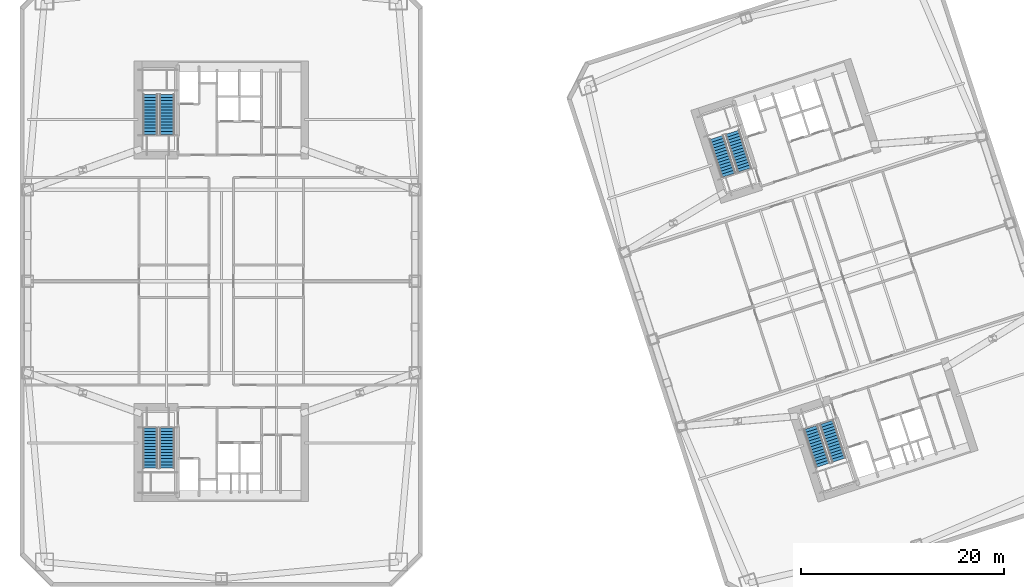
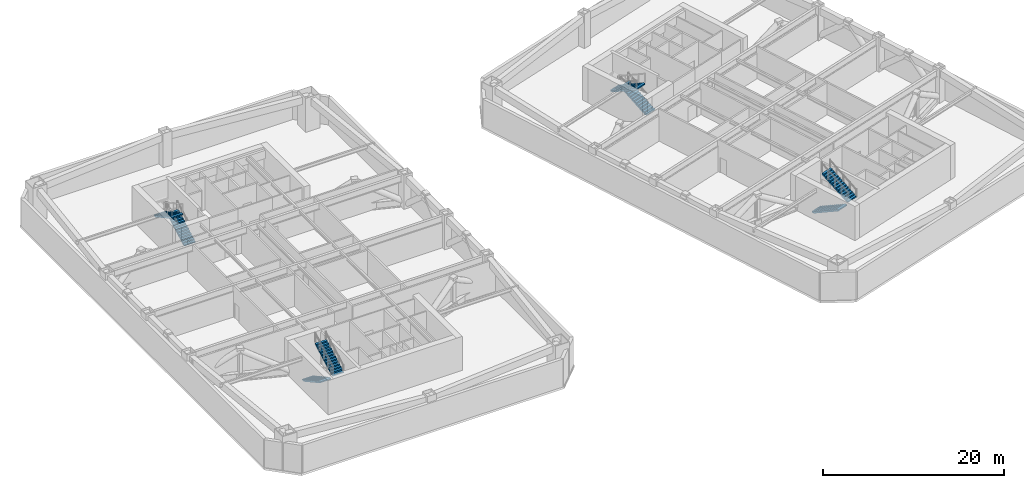
# One storey, part 14 of 16: 8 stair flights, 4 elements without a shape of their own.
"""IFC4 building model written with IfcOpenShell, lengths in metres."""

from ifc_helpers import new_model, si_unit, direction, frame, origin, place, context, subcontext, project, spatial, polyline, outline, extrude, material, type_object, element, aggregate, save


model = new_model("IFC4")

# Units and contexts
model_context = context("Model", 3, precision=1e-05, world=origin(), true_north=direction((0.0, 1.0)))
body_context = subcontext(model_context, "Body", "Model", "MODEL_VIEW")
ifc_project = project(units=[si_unit("LENGTHUNIT", "METRE"), si_unit("AREAUNIT", "SQUARE_METRE"), si_unit("VOLUMEUNIT", "CUBIC_METRE"), si_unit("PLANEANGLEUNIT", "RADIAN"), si_unit("MASSUNIT", "GRAM", prefix="KILO")], contexts=[model_context])

# Site, building, storey
site_placement = place(None, origin())
site = spatial("IfcSite", under=ifc_project, at=site_placement, CompositionType="ELEMENT")
building_placement = place(site_placement, origin())
building = spatial("IfcBuilding", under=site, at=building_placement, Name="Qiaolan Cultural Towers", CompositionType="ELEMENT")
storey_placement = place(building_placement, frame((0.0, 0.0, 46.0)))
storey = spatial("IfcBuildingStorey", under=building, at=storey_placement, Name="L10", CompositionType="ELEMENT", Elevation=46.0)

# Stair, stair flights
ifc_material_1 = material(Name="Concrete C45", Category="concrete")
stair_type = type_object("IfcStairType", Name="STR-CORE-1500", PredefinedType="HALF_TURN_STAIR", material=ifc_material_1)
stair_1_placement = place(storey_placement, origin())
stair_1 = element("IfcStair", 1, at=stair_1_placement, inside=storey, type_object=stair_type, Name="L10 Smokeproof Exit Stair ST-W1", PredefinedType="HALF_TURN_STAIR")
ifc_material_2 = material(Name="Concrete C45", Category="concrete")
stair_flight_type = type_object("IfcStairFlightType", Name="STR-CORE-1500-FL", PredefinedType="STRAIGHT", material=ifc_material_2)
stair_flight_1_placement = place(storey_placement, frame((23.02001953125, 19.550048828125, 0.0), z_axis=(0.0, 0.0, 1.0), x_axis=(0.0, -1.0, 0.0)))
stair_flight_1 = element("IfcStairFlight", 2, at=stair_flight_1_placement, type_object=stair_flight_type, Name="ST-W1 flight 1", NumberOfRisers=14, NumberOfTreads=13, PredefinedType="STRAIGHT", RiserHeight=0.164285714, TreadLength=0.3, context=body_context, shape_type="SweptSolid", body=[
    extrude(outline(polyline([(0.0, 0.0), (0.0, 0.164306640625), (0.300048828125, 0.164306640625), (0.300048828125, 0.32861328125), (0.60009765625, 0.32861328125), (0.60009765625, 0.492919921875), (0.89990234375, 0.492919921875), (0.89990234375, 0.6572265625), (1.199951171875, 0.6572265625), (1.199951171875, 0.821533203125), (1.5, 0.821533203125), (1.5, 0.985595703125), (1.800048828125, 0.985595703125), (1.800048828125, 1.14990234375), (2.10009765625, 1.14990234375), (2.10009765625, 1.314208984375), (2.39990234375, 1.314208984375), (2.39990234375, 1.478515625), (2.699951171875, 1.478515625), (2.699951171875, 1.642822265625), (3.0, 1.642822265625), (3.0, 1.80712890625), (3.300048828125, 1.80712890625), (3.300048828125, 1.971435546875), (3.60009765625, 1.971435546875), (3.60009765625, 2.1357421875), (3.89990234375, 2.1357421875), (3.89990234375, 2.300048828125), (3.89990234375, 1.96484375), (0.31201171875, 0.0), (0.0, 0.0)])), frame((0.0, 0.719970703125, 0.0), z_axis=(0.0, -1.0, 0.0), x_axis=(1.0, 0.0, 0.0)), (0.0, 0.0, 1.0), 1.43994140625),
])
stair_flight_2_placement = place(storey_placement, frame((24.659912109375, 15.64990234375, 2.300048828125), z_axis=(0.0, 0.0, 1.0), x_axis=(0.0, 1.0, 0.0)))
stair_flight_2 = element("IfcStairFlight", 3, at=stair_flight_2_placement, type_object=stair_flight_type, Name="ST-W1 flight 2", NumberOfRisers=14, NumberOfTreads=13, PredefinedType="STRAIGHT", RiserHeight=0.164285714, TreadLength=0.3, context=body_context, shape_type="SweptSolid", body=[
    extrude(outline(polyline([(0.0, 0.0), (0.0, 0.164306640625), (0.300048828125, 0.164306640625), (0.300048828125, 0.32861328125), (0.60009765625, 0.32861328125), (0.60009765625, 0.492919921875), (0.89990234375, 0.492919921875), (0.89990234375, 0.6572265625), (1.199951171875, 0.6572265625), (1.199951171875, 0.821533203125), (1.5, 0.821533203125), (1.5, 0.985595703125), (1.800048828125, 0.985595703125), (1.800048828125, 1.14990234375), (2.10009765625, 1.14990234375), (2.10009765625, 1.314208984375), (2.39990234375, 1.314208984375), (2.39990234375, 1.478515625), (2.699951171875, 1.478515625), (2.699951171875, 1.642822265625), (3.0, 1.642822265625), (3.0, 1.80712890625), (3.300048828125, 1.80712890625), (3.300048828125, 1.971435546875), (3.60009765625, 1.971435546875), (3.60009765625, 2.1357421875), (3.89990234375, 2.1357421875), (3.89990234375, 2.300048828125), (3.89990234375, 1.96484375), (0.31201171875, 0.0), (0.0, 0.0)])), frame((0.0, 0.719970703125, 0.0), z_axis=(0.0, -1.0, 0.0), x_axis=(1.0, 0.0, 0.0)), (0.0, 0.0, 1.0), 1.43994140625),
])
aggregate(stair_1, [stair_flight_1, stair_flight_2])

stair_2_placement = place(storey_placement, origin())
stair_2 = element("IfcStair", 4, at=stair_2_placement, inside=storey, type_object=stair_type, Name="L10 Smokeproof Exit Stair ST-W2", PredefinedType="HALF_TURN_STAIR")
stair_flight_3_placement = place(storey_placement, frame((24.659912109375, 48.449951171875, 0.0), z_axis=(0.0, 0.0, 1.0), x_axis=(0.0, 1.0, 0.0)))
stair_flight_3 = element("IfcStairFlight", 5, at=stair_flight_3_placement, type_object=stair_flight_type, Name="ST-W2 flight 1", NumberOfRisers=14, NumberOfTreads=13, PredefinedType="STRAIGHT", RiserHeight=0.164285714, TreadLength=0.3, context=body_context, shape_type="SweptSolid", body=[
    extrude(outline(polyline([(0.0, 0.0), (0.0, 0.164306640625), (0.300048828125, 0.164306640625), (0.300048828125, 0.32861328125), (0.60009765625, 0.32861328125), (0.60009765625, 0.492919921875), (0.89990234375, 0.492919921875), (0.89990234375, 0.6572265625), (1.199951171875, 0.6572265625), (1.199951171875, 0.821533203125), (1.5, 0.821533203125), (1.5, 0.985595703125), (1.800048828125, 0.985595703125), (1.800048828125, 1.14990234375), (2.10009765625, 1.14990234375), (2.10009765625, 1.314208984375), (2.39990234375, 1.314208984375), (2.39990234375, 1.478515625), (2.699951171875, 1.478515625), (2.699951171875, 1.642822265625), (3.0, 1.642822265625), (3.0, 1.80712890625), (3.300048828125, 1.80712890625), (3.300048828125, 1.971435546875), (3.60009765625, 1.971435546875), (3.60009765625, 2.1357421875), (3.89990234375, 2.1357421875), (3.89990234375, 2.300048828125), (3.89990234375, 1.96484375), (0.31201171875, 0.0), (0.0, 0.0)])), frame((0.0, 0.719970703125, 0.0), z_axis=(0.0, -1.0, 0.0), x_axis=(1.0, 0.0, 0.0)), (0.0, 0.0, 1.0), 1.43994140625),
])
stair_flight_4_placement = place(storey_placement, frame((23.02001953125, 52.35009765625, 2.300048828125), z_axis=(0.0, 0.0, 1.0), x_axis=(0.0, -1.0, 0.0)))
stair_flight_4 = element("IfcStairFlight", 6, at=stair_flight_4_placement, type_object=stair_flight_type, Name="ST-W2 flight 2", NumberOfRisers=14, NumberOfTreads=13, PredefinedType="STRAIGHT", RiserHeight=0.164285714, TreadLength=0.3, context=body_context, shape_type="SweptSolid", body=[
    extrude(outline(polyline([(0.0, 0.0), (0.0, 0.164306640625), (0.300048828125, 0.164306640625), (0.300048828125, 0.32861328125), (0.60009765625, 0.32861328125), (0.60009765625, 0.492919921875), (0.89990234375, 0.492919921875), (0.89990234375, 0.6572265625), (1.199951171875, 0.6572265625), (1.199951171875, 0.821533203125), (1.5, 0.821533203125), (1.5, 0.985595703125), (1.800048828125, 0.985595703125), (1.800048828125, 1.14990234375), (2.10009765625, 1.14990234375), (2.10009765625, 1.314208984375), (2.39990234375, 1.314208984375), (2.39990234375, 1.478515625), (2.699951171875, 1.478515625), (2.699951171875, 1.642822265625), (3.0, 1.642822265625), (3.0, 1.80712890625), (3.300048828125, 1.80712890625), (3.300048828125, 1.971435546875), (3.60009765625, 1.971435546875), (3.60009765625, 2.1357421875), (3.89990234375, 2.1357421875), (3.89990234375, 2.300048828125), (3.89990234375, 1.96484375), (0.31201171875, 0.0), (0.0, 0.0)])), frame((0.0, 0.719970703125, 0.0), z_axis=(0.0, -1.0, 0.0), x_axis=(1.0, 0.0, 0.0)), (0.0, 0.0, 1.0), 1.43994140625),
])
aggregate(stair_2, [stair_flight_3, stair_flight_4])

stair_3_placement = place(storey_placement, origin())
stair_3 = element("IfcStair", 7, at=stair_3_placement, inside=storey, type_object=stair_type, Name="L10 Smokeproof Exit Stair ST-E1", PredefinedType="HALF_TURN_STAIR")
stair_flight_5_placement = place(storey_placement, frame((87.96484375, 19.6171875, 0.0), z_axis=(0.0, 0.0, 1.0), x_axis=(0.309016994375, -0.951056516295, 0.0)))
stair_flight_5 = element("IfcStairFlight", 8, at=stair_flight_5_placement, type_object=stair_flight_type, Name="ST-E1 flight 1", NumberOfRisers=14, NumberOfTreads=13, PredefinedType="STRAIGHT", RiserHeight=0.164285714, TreadLength=0.3, context=body_context, shape_type="SweptSolid", body=[
    extrude(outline(polyline([(0.0, 0.0), (0.0, 0.164306640625), (0.300048828125, 0.164306640625), (0.300048828125, 0.32861328125), (0.60009765625, 0.32861328125), (0.60009765625, 0.492919921875), (0.89990234375, 0.492919921875), (0.89990234375, 0.6572265625), (1.199951171875, 0.6572265625), (1.199951171875, 0.821533203125), (1.5, 0.821533203125), (1.5, 0.985595703125), (1.800048828125, 0.985595703125), (1.800048828125, 1.14990234375), (2.10009765625, 1.14990234375), (2.10009765625, 1.314208984375), (2.39990234375, 1.314208984375), (2.39990234375, 1.478515625), (2.699951171875, 1.478515625), (2.699951171875, 1.642822265625), (3.0, 1.642822265625), (3.0, 1.80712890625), (3.300048828125, 1.80712890625), (3.300048828125, 1.971435546875), (3.60009765625, 1.971435546875), (3.60009765625, 2.1357421875), (3.89990234375, 2.1357421875), (3.89990234375, 2.300048828125), (3.89990234375, 1.96484375), (0.31201171875, 0.0), (0.0, 0.0)])), frame((0.0, 0.719970703125, 0.0), z_axis=(0.0, -1.0, 0.0), x_axis=(1.0, 0.0, 0.0)), (0.0, 0.0, 1.0), 1.43994140625),
])
stair_flight_6_placement = place(storey_placement, frame((90.729736328125, 16.414794921875, 2.300048828125), z_axis=(0.0, 0.0, 1.0), x_axis=(-0.309016994375, 0.951056516295, 0.0)))
stair_flight_6 = element("IfcStairFlight", 9, at=stair_flight_6_placement, type_object=stair_flight_type, Name="ST-E1 flight 2", NumberOfRisers=14, NumberOfTreads=13, PredefinedType="STRAIGHT", RiserHeight=0.164285714, TreadLength=0.3, context=body_context, shape_type="SweptSolid", body=[
    extrude(outline(polyline([(0.0, 0.0), (0.0, 0.164306640625), (0.300048828125, 0.164306640625), (0.300048828125, 0.32861328125), (0.60009765625, 0.32861328125), (0.60009765625, 0.492919921875), (0.89990234375, 0.492919921875), (0.89990234375, 0.6572265625), (1.199951171875, 0.6572265625), (1.199951171875, 0.821533203125), (1.5, 0.821533203125), (1.5, 0.985595703125), (1.800048828125, 0.985595703125), (1.800048828125, 1.14990234375), (2.10009765625, 1.14990234375), (2.10009765625, 1.314208984375), (2.39990234375, 1.314208984375), (2.39990234375, 1.478515625), (2.699951171875, 1.478515625), (2.699951171875, 1.642822265625), (3.0, 1.642822265625), (3.0, 1.80712890625), (3.300048828125, 1.80712890625), (3.300048828125, 1.971435546875), (3.60009765625, 1.971435546875), (3.60009765625, 2.1357421875), (3.89990234375, 2.1357421875), (3.89990234375, 2.300048828125), (3.89990234375, 1.96484375), (0.31201171875, 0.0), (0.0, 0.0)])), frame((0.0, 0.719970703125, 0.0), z_axis=(0.0, -1.0, 0.0), x_axis=(1.0, 0.0, 0.0)), (0.0, 0.0, 1.0), 1.43994140625),
])
aggregate(stair_3, [stair_flight_5, stair_flight_6])

stair_4_placement = place(storey_placement, origin())
stair_4 = element("IfcStair", 10, at=stair_4_placement, inside=storey, type_object=stair_type, Name="L10 Smokeproof Exit Stair ST-E2", PredefinedType="HALF_TURN_STAIR")
stair_flight_7_placement = place(storey_placement, frame((81.459228515625, 44.946533203125, 0.0), z_axis=(0.0, 0.0, 1.0), x_axis=(-0.309016994375, 0.951056516295, 0.0)))
stair_flight_7 = element("IfcStairFlight", 11, at=stair_flight_7_placement, type_object=stair_flight_type, Name="ST-E2 flight 1", NumberOfRisers=14, NumberOfTreads=13, PredefinedType="STRAIGHT", RiserHeight=0.164285714, TreadLength=0.3, context=body_context, shape_type="SweptSolid", body=[
    extrude(outline(polyline([(0.0, 0.0), (0.0, 0.164306640625), (0.300048828125, 0.164306640625), (0.300048828125, 0.32861328125), (0.60009765625, 0.32861328125), (0.60009765625, 0.492919921875), (0.89990234375, 0.492919921875), (0.89990234375, 0.6572265625), (1.199951171875, 0.6572265625), (1.199951171875, 0.821533203125), (1.5, 0.821533203125), (1.5, 0.985595703125), (1.800048828125, 0.985595703125), (1.800048828125, 1.14990234375), (2.10009765625, 1.14990234375), (2.10009765625, 1.314208984375), (2.39990234375, 1.314208984375), (2.39990234375, 1.478515625), (2.699951171875, 1.478515625), (2.699951171875, 1.642822265625), (3.0, 1.642822265625), (3.0, 1.80712890625), (3.300048828125, 1.80712890625), (3.300048828125, 1.971435546875), (3.60009765625, 1.971435546875), (3.60009765625, 2.1357421875), (3.89990234375, 2.1357421875), (3.89990234375, 2.300048828125), (3.89990234375, 1.96484375), (0.31201171875, 0.0), (0.0, 0.0)])), frame((0.0, 0.719970703125, 0.0), z_axis=(0.0, -1.0, 0.0), x_axis=(1.0, 0.0, 0.0)), (0.0, 0.0, 1.0), 1.43994140625),
])
stair_flight_8_placement = place(storey_placement, frame((78.6943359375, 48.14892578125, 2.300048828125), z_axis=(0.0, 0.0, 1.0), x_axis=(0.309016994375, -0.951056516295, 0.0)))
stair_flight_8 = element("IfcStairFlight", 12, at=stair_flight_8_placement, type_object=stair_flight_type, Name="ST-E2 flight 2", NumberOfRisers=14, NumberOfTreads=13, PredefinedType="STRAIGHT", RiserHeight=0.164285714, TreadLength=0.3, context=body_context, shape_type="SweptSolid", body=[
    extrude(outline(polyline([(0.0, 0.0), (0.0, 0.164306640625), (0.300048828125, 0.164306640625), (0.300048828125, 0.32861328125), (0.60009765625, 0.32861328125), (0.60009765625, 0.492919921875), (0.89990234375, 0.492919921875), (0.89990234375, 0.6572265625), (1.199951171875, 0.6572265625), (1.199951171875, 0.821533203125), (1.5, 0.821533203125), (1.5, 0.985595703125), (1.800048828125, 0.985595703125), (1.800048828125, 1.14990234375), (2.10009765625, 1.14990234375), (2.10009765625, 1.314208984375), (2.39990234375, 1.314208984375), (2.39990234375, 1.478515625), (2.699951171875, 1.478515625), (2.699951171875, 1.642822265625), (3.0, 1.642822265625), (3.0, 1.80712890625), (3.300048828125, 1.80712890625), (3.300048828125, 1.971435546875), (3.60009765625, 1.971435546875), (3.60009765625, 2.1357421875), (3.89990234375, 2.1357421875), (3.89990234375, 2.300048828125), (3.89990234375, 1.96484375), (0.31201171875, 0.0), (0.0, 0.0)])), frame((0.0, 0.719970703125, 0.0), z_axis=(0.0, -1.0, 0.0), x_axis=(1.0, 0.0, 0.0)), (0.0, 0.0, 1.0), 1.43994140625),
])
aggregate(stair_4, [stair_flight_7, stair_flight_8])

save(model, "model.ifc")
